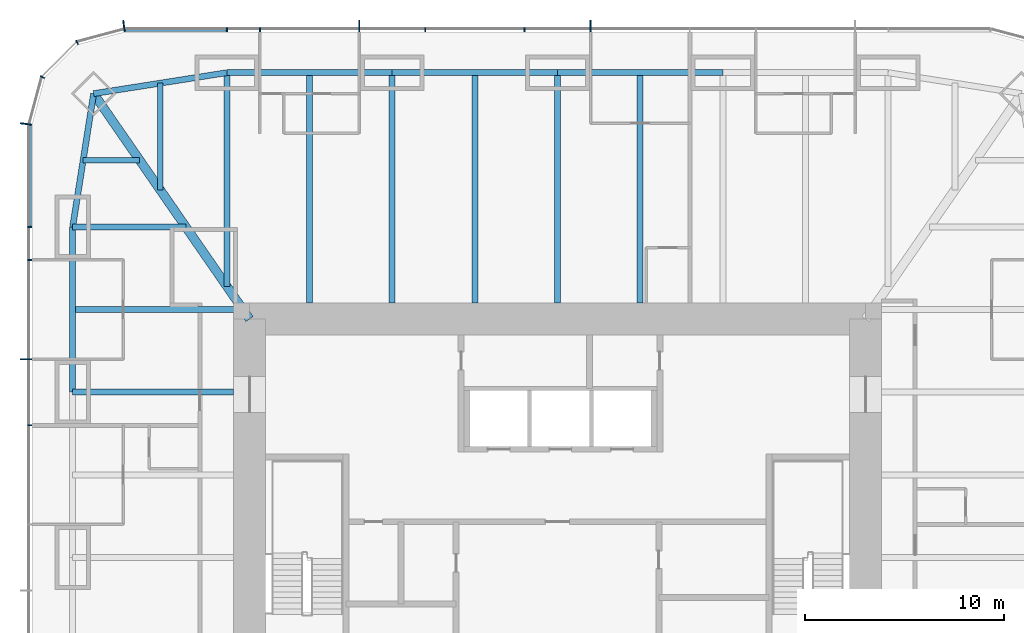
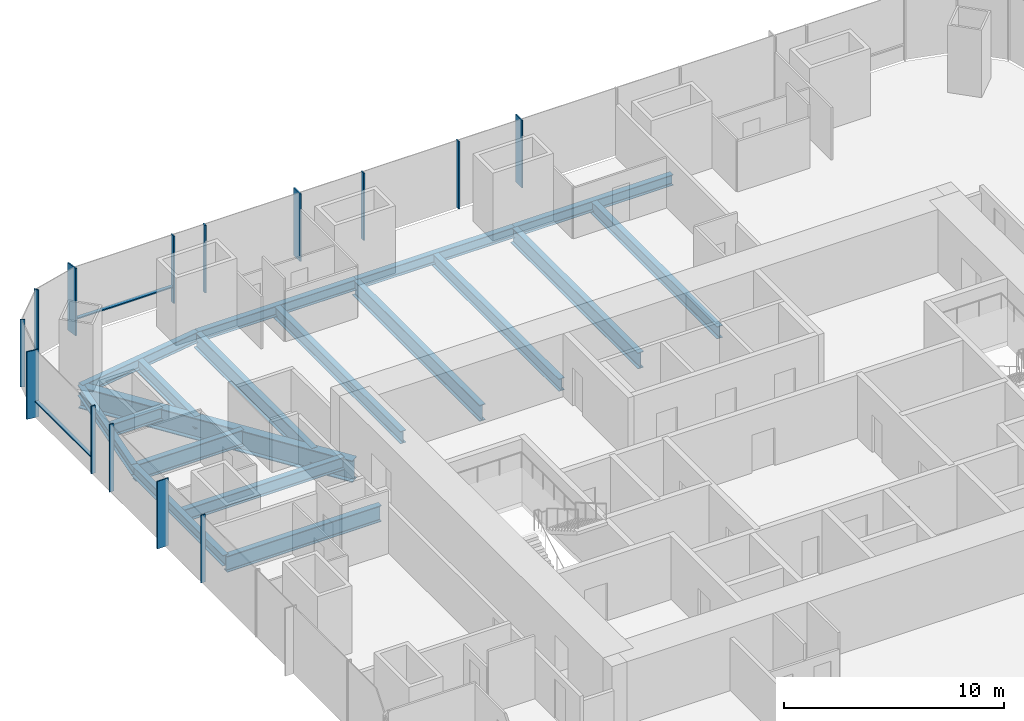
# One storey, part 5 of 12: 18 beams, 16 members, 3 elements without a shape of their own.
"""IFC4 building model written with IfcOpenShell, lengths in metres."""

from ifc_helpers import new_model, si_unit, direction, frame, origin, origin_2d, place, context, subcontext, project, spatial, rectangle, i_section, extrude, material, material_profile, profile_set, type_object, element, aggregate, save


model = new_model("IFC4")

# Units and contexts
model_context = context("Model", 3, precision=1e-05, world=origin(), true_north=direction((0.0, 1.0)))
body_context = subcontext(model_context, "Body", "Model", "MODEL_VIEW")
ifc_project = project(units=[si_unit("LENGTHUNIT", "METRE"), si_unit("AREAUNIT", "SQUARE_METRE"), si_unit("VOLUMEUNIT", "CUBIC_METRE"), si_unit("PLANEANGLEUNIT", "RADIAN"), si_unit("MASSUNIT", "GRAM", prefix="KILO")], contexts=[model_context])

# Site, building, storey
site_placement = place(None, origin())
site = spatial("IfcSite", under=ifc_project, at=site_placement, CompositionType="ELEMENT")
building_placement = place(site_placement, origin())
building = spatial("IfcBuilding", under=site, at=building_placement, Name="Khuree Lantern Residences", CompositionType="ELEMENT")
storey_placement = place(building_placement, frame((0.0, 0.0, 203.25)))
storey = spatial("IfcBuildingStorey", under=building, at=storey_placement, Name="L50", CompositionType="ELEMENT", Elevation=203.25)

# Beams
ifc_material_1 = material(Name="Steel S355", Category="steel")
ifc_material_profile_1 = material_profile(ifc_material_1, i_section(OverallWidth=0.300048828125, OverallDepth=0.68994140625, WebThickness=0.014404296875, FlangeThickness=0.027099609375, FilletRadius=0.027099609375, at=origin_2d()), Name="HE 700 A")
ifc_profile_set_1 = profile_set([ifc_material_profile_1], Name="Steel S355")
beam_type_1 = type_object("IfcBeamType", Name="B-31 SECONDARY BEAM HE 700 A", PredefinedType="BEAM", material=ifc_profile_set_1)
for number, where, z_axis, x_axis, name in (
    (1, (-12.47998046875, 24.39990234375, -0.594970703125), (0.0, -1.0, 0.0), (1.0, 0.0, 0.0), "Secondary beam N1"),
    (2, (-4.159912109375, 24.39990234375, -0.594970703125), (0.0, -1.0, 0.0), (1.0, 0.0, 0.0), "Secondary beam N2"),
    (3, (4.159912109375, 24.39990234375, -0.594970703125), (0.0, -1.0, 0.0), (1.0, 0.0, 0.0), "Secondary beam N3"),
):
    element("IfcBeam", number, at=place(storey_placement, frame(where, z_axis=z_axis, x_axis=x_axis)), inside=storey, type_object=beam_type_1, Name=name, PredefinedType="BEAM", context=body_context, shape_type="SweptSolid", body=[
        extrude(i_section(OverallWidth=0.300048828125, OverallDepth=0.68994140625, WebThickness=0.014404296875, FlangeThickness=0.027099609375, FilletRadius=0.027099609375, at=origin_2d()), origin(), (0.0, 0.0, 1.0), 11.599853515625),
    ])
beam_1_placement = place(storey_placement, frame((-24.39990234375, 12.47998046875, -0.594970703125), z_axis=(1.0, 0.0, 0.0), x_axis=(0.0, 1.0, 0.0)))
element("IfcBeam", 4, at=beam_1_placement, inside=storey, type_object=beam_type_1, Name="Secondary beam W5", PredefinedType="BEAM", context=body_context, shape_type="SweptSolid", body=[
    extrude(i_section(OverallWidth=0.300048828125, OverallDepth=0.68994140625, WebThickness=0.014404296875, FlangeThickness=0.027099609375, FilletRadius=0.027099609375, at=origin_2d()), origin(), (0.0, 0.0, 1.0), 8.56787109375),
])
beam_2_placement = place(storey_placement, frame((-23.872802734375, 19.992919921875, -0.594970703125), z_axis=(1.0, 0.0, 0.0), x_axis=(0.0, 1.0, 0.0)))
element("IfcBeam", 5, at=beam_2_placement, inside=storey, type_object=beam_type_1, Name="Secondary beam W6", PredefinedType="BEAM", context=body_context, shape_type="SweptSolid", body=[
    extrude(i_section(OverallWidth=0.300048828125, OverallDepth=0.68994140625, WebThickness=0.014404296875, FlangeThickness=0.027099609375, FilletRadius=0.027099609375, at=origin_2d()), origin(), (0.0, 0.0, 1.0), 2.845703125),
])
beam_3_placement = place(storey_placement, frame((-19.992919921875, 23.872802734375, -0.594970703125), z_axis=(0.0, -1.0, 0.0), x_axis=(1.0, 0.0, 0.0)))
element("IfcBeam", 6, at=beam_3_placement, inside=storey, type_object=beam_type_1, Name="Secondary beam N6", PredefinedType="BEAM", context=body_context, shape_type="SweptSolid", body=[
    extrude(i_section(OverallWidth=0.300048828125, OverallDepth=0.68994140625, WebThickness=0.014404296875, FlangeThickness=0.027099609375, FilletRadius=0.027099609375, at=origin_2d()), origin(), (0.0, 0.0, 1.0), 5.375732421875),
])
ifc_material_profile_2 = material_profile(ifc_material_1, i_section(OverallWidth=0.300048828125, OverallDepth=0.590087890625, WebThickness=0.012939453125, FlangeThickness=0.02490234375, FilletRadius=0.027099609375, at=origin_2d()), Name="HE 600 A")
ifc_profile_set_2 = profile_set([ifc_material_profile_2], Name="Steel S355")
beam_type_2 = type_object("IfcBeamType", Name="E-31 SPANDREL BEAM HE 600 A", PredefinedType="SPANDREL", material=ifc_profile_set_2)
beam_4_placement = place(storey_placement, frame((-16.639892578125, 24.39990234375, -0.544921875), z_axis=(1.0, 0.0, 0.0), x_axis=(0.0, 1.0, 0.0)))
element("IfcBeam", 7, at=beam_4_placement, inside=storey, type_object=beam_type_2, Name="Spandrel beam N1", PredefinedType="SPANDREL", context=body_context, shape_type="SweptSolid", body=[
    extrude(i_section(OverallWidth=0.300048828125, OverallDepth=0.590087890625, WebThickness=0.012939453125, FlangeThickness=0.02490234375, FilletRadius=0.027099609375, at=origin_2d()), origin(), (0.0, 0.0, 1.0), 8.31982421875),
])
for number, where, z_axis, x_axis, name in (
    (8, (-8.320068359375, 24.39990234375, -0.544921875), (1.0, 0.0, 0.0), (0.0, 1.0, 0.0), "Spandrel beam N2"),
    (9, (0.0, 24.39990234375, -0.544921875), (1.0, 0.0, 0.0), (0.0, 1.0, 0.0), "Spandrel beam N3"),
):
    element("IfcBeam", number, at=place(storey_placement, frame(where, z_axis=z_axis, x_axis=x_axis)), inside=storey, type_object=beam_type_2, Name=name, PredefinedType="SPANDREL", context=body_context, shape_type="SweptSolid", body=[
        extrude(i_section(OverallWidth=0.300048828125, OverallDepth=0.590087890625, WebThickness=0.012939453125, FlangeThickness=0.02490234375, FilletRadius=0.027099609375, at=origin_2d()), origin(), (0.0, 0.0, 1.0), 8.320068359375),
    ])
beam_5_placement = place(storey_placement, frame((-24.39990234375, 8.320068359375, -0.544921875), z_axis=(0.0, 1.0, 0.0), x_axis=(-1.0, 0.0, 0.0)))
element("IfcBeam", 10, at=beam_5_placement, inside=storey, type_object=beam_type_2, Name="Spandrel beam W5", PredefinedType="SPANDREL", context=body_context, shape_type="SweptSolid", body=[
    extrude(i_section(OverallWidth=0.300048828125, OverallDepth=0.590087890625, WebThickness=0.012939453125, FlangeThickness=0.02490234375, FilletRadius=0.027099609375, at=origin_2d()), origin(), (0.0, 0.0, 1.0), 8.31982421875),
])
for number, where, z_axis, x_axis, name in (
    (11, (-24.39990234375, 16.639892578125, -0.544921875), (0.155299507442, 0.98786743189, 0.0), (-0.98786743189, 0.155299507442, 0.0), "Spandrel beam W6"),
    (12, (-23.345703125, 23.345703125, -0.544921875), (0.98786743189, 0.155299507442, 0.0), (-0.155299507442, 0.98786743189, 0.0), "Spandrel beam N6"),
):
    element("IfcBeam", number, at=place(storey_placement, frame(where, z_axis=z_axis, x_axis=x_axis)), inside=storey, type_object=beam_type_2, Name=name, PredefinedType="SPANDREL", context=body_context, shape_type="SweptSolid", body=[
        extrude(i_section(OverallWidth=0.300048828125, OverallDepth=0.590087890625, WebThickness=0.012939453125, FlangeThickness=0.02490234375, FilletRadius=0.027099609375, at=origin_2d()), origin(), (0.0, 0.0, 1.0), 6.7880859375),
    ])

# Curtain wall, members
ifc_material_2 = material(Name="Bronze anodised aluminium", Category="aluminium")
curtain_wall_type_1 = type_object("IfcCurtainWallType", Name="CW-T1 TOWER FACE CURTAIN WALL", PredefinedType="USERDEFINED", material=ifc_material_2)
curtain_wall_1_placement = place(storey_placement, origin())
curtain_wall_1 = element("IfcCurtainWall", 13, at=curtain_wall_1_placement, inside=storey, type_object=curtain_wall_type_1, Name="L50 NORTH FACE CURTAIN WALL", ObjectType="Stick-built curtain wall", PredefinedType="USERDEFINED")
ifc_material_profile_3 = material_profile(ifc_material_2, rectangle(XDim=0.06494140625, YDim=0.60009765625, at=origin_2d()), Name="F1 65X600")
ifc_profile_set_3 = profile_set([ifc_material_profile_3], Name="Bronze anodised aluminium")
member_type_1 = type_object("IfcMemberType", Name="F1 BRONZE FIN MULLION TOWER 65X600", PredefinedType="MULLION", material=ifc_profile_set_3)
member_1_placement = place(storey_placement, frame((1.6640625, 26.75, 0.0), z_axis=(0.0, 0.0, 1.0), x_axis=(-1.0, 0.0, 0.0)))
member_1 = element("IfcMember", 14, at=member_1_placement, type_object=member_type_1, Name="L50 NORTH FACE FIN MULLION 23", PredefinedType="MULLION", context=body_context, shape_type="SweptSolid", body=[
    extrude(rectangle(XDim=0.06494140625, YDim=0.60009765625, at=origin_2d()), origin(), (0.0, 0.0, 1.0), 3.75),
])
member_2_placement = place(storey_placement, frame((-9.98388671875, 26.75, 0.0), z_axis=(0.0, 0.0, 1.0), x_axis=(-1.0, 0.0, 0.0)))
member_2 = element("IfcMember", 15, at=member_2_placement, type_object=member_type_1, Name="L50 NORTH FACE FIN MULLION 26", PredefinedType="MULLION", context=body_context, shape_type="SweptSolid", body=[
    extrude(rectangle(XDim=0.06494140625, YDim=0.60009765625, at=origin_2d()), origin(), (0.0, 0.0, 1.0), 3.75),
])

# Curtain wall, member
curtain_wall_type_2 = type_object("IfcCurtainWallType", Name="CW-T2 TOWER CORNER CURTAIN WALL", PredefinedType="USERDEFINED", material=ifc_material_2)
curtain_wall_2_placement = place(storey_placement, origin())
curtain_wall_2 = element("IfcCurtainWall", 16, at=curtain_wall_2_placement, inside=storey, type_object=curtain_wall_type_2, Name="L50 NORTH-WEST CORNER CURTAIN WALL", ObjectType="Faceted corner curtain wall", PredefinedType="USERDEFINED")
member_3_placement = place(storey_placement, frame((-21.81982421875, 26.75, 0.0), z_axis=(0.0, 0.0, 1.0), x_axis=(-0.991444862943, -0.130526180298, 0.0)))
member_3 = element("IfcMember", 17, at=member_3_placement, type_object=member_type_1, Name="L50 NORTH-WEST CORNER FIN MULLION 29", PredefinedType="MULLION", context=body_context, shape_type="SweptSolid", body=[
    extrude(rectangle(XDim=0.06494140625, YDim=0.60009765625, at=origin_2d()), origin(), (0.0, 0.0, 1.0), 3.75),
])

# Curtain wall, members
curtain_wall_3_placement = place(storey_placement, origin())
curtain_wall_3 = element("IfcCurtainWall", 18, at=curtain_wall_3_placement, inside=storey, type_object=curtain_wall_type_1, Name="L50 WEST FACE CURTAIN WALL", ObjectType="Stick-built curtain wall", PredefinedType="USERDEFINED")
member_4_placement = place(storey_placement, frame((-26.75, 21.81982421875, 0.0), z_axis=(0.0, 0.0, 1.0), x_axis=(-0.130526180298, -0.991444862943, 0.0)))
member_4 = element("IfcMember", 19, at=member_4_placement, type_object=member_type_1, Name="L50 WEST FACE FIN MULLION 32", PredefinedType="MULLION", context=body_context, shape_type="SweptSolid", body=[
    extrude(rectangle(XDim=0.06494140625, YDim=0.60009765625, at=origin_2d()), origin(), (0.0, 0.0, 1.0), 3.75),
])
member_5_placement = place(storey_placement, frame((-26.75, 9.98388671875, 0.0), z_axis=(0.0, 0.0, 1.0), x_axis=(0.0, -1.0, 0.0)))
member_5 = element("IfcMember", 20, at=member_5_placement, type_object=member_type_1, Name="L50 WEST FACE FIN MULLION 35", PredefinedType="MULLION", context=body_context, shape_type="SweptSolid", body=[
    extrude(rectangle(XDim=0.06494140625, YDim=0.60009765625, at=origin_2d()), origin(), (0.0, 0.0, 1.0), 3.75),
])

# Beams
ifc_material_profile_4 = material_profile(ifc_material_1, i_section(OverallWidth=0.300048828125, OverallDepth=0.89990234375, WebThickness=0.0185546875, FlangeThickness=0.034912109375, FilletRadius=0.030029296875, at=origin_2d()), Name="HE 900 B")
ifc_profile_set_4 = profile_set([ifc_material_profile_4], Name="Steel S355")
beam_type_3 = type_object("IfcBeamType", Name="G-31A GIRDER HE 900 B", PredefinedType="BEAM", material=ifc_profile_set_4)
beam_6_placement = place(storey_placement, frame((-16.639892578125, 24.39990234375, -0.699951171875), z_axis=(0.0, -1.0, 0.0), x_axis=(1.0, 0.0, 0.0)))
element("IfcBeam", 21, at=beam_6_placement, inside=storey, type_object=beam_type_3, Name="Girder N1", PredefinedType="BEAM", context=body_context, shape_type="SweptSolid", body=[
    extrude(i_section(OverallWidth=0.300048828125, OverallDepth=0.89990234375, WebThickness=0.0185546875, FlangeThickness=0.034912109375, FilletRadius=0.030029296875, at=origin_2d()), origin(), (0.0, 0.0, 1.0), 10.751220703125),
])
for number, where, z_axis, x_axis, name in (
    (22, (-8.320068359375, 24.39990234375, -0.699951171875), (0.0, -1.0, 0.0), (1.0, 0.0, 0.0), "Girder N2"),
    (23, (0.0, 24.39990234375, -0.699951171875), (0.0, -1.0, 0.0), (1.0, 0.0, 0.0), "Girder N3"),
):
    element("IfcBeam", number, at=place(storey_placement, frame(where, z_axis=z_axis, x_axis=x_axis)), inside=storey, type_object=beam_type_3, Name=name, PredefinedType="BEAM", context=body_context, shape_type="SweptSolid", body=[
        extrude(i_section(OverallWidth=0.300048828125, OverallDepth=0.89990234375, WebThickness=0.0185546875, FlangeThickness=0.034912109375, FilletRadius=0.030029296875, at=origin_2d()), origin(), (0.0, 0.0, 1.0), 11.599853515625),
    ])
beam_7_placement = place(storey_placement, frame((-24.39990234375, 8.320068359375, -0.699951171875), z_axis=(1.0, 0.0, 0.0), x_axis=(0.0, 1.0, 0.0)))
element("IfcBeam", 24, at=beam_7_placement, inside=storey, type_object=beam_type_3, Name="Girder W4", PredefinedType="BEAM", context=body_context, shape_type="SweptSolid", body=[
    extrude(i_section(OverallWidth=0.300048828125, OverallDepth=0.89990234375, WebThickness=0.0185546875, FlangeThickness=0.034912109375, FilletRadius=0.030029296875, at=origin_2d()), origin(), (0.0, 0.0, 1.0), 8.099853515625),
])
beam_8_placement = place(storey_placement, frame((-24.39990234375, 16.639892578125, -0.699951171875), z_axis=(1.0, 0.0, 0.0), x_axis=(0.0, 1.0, 0.0)))
element("IfcBeam", 25, at=beam_8_placement, inside=storey, type_object=beam_type_3, Name="Girder W5", PredefinedType="BEAM", context=body_context, shape_type="SweptSolid", body=[
    extrude(i_section(OverallWidth=0.300048828125, OverallDepth=0.89990234375, WebThickness=0.0185546875, FlangeThickness=0.034912109375, FilletRadius=0.030029296875, at=origin_2d()), origin(), (0.0, 0.0, 1.0), 5.69140625),
])
ifc_material_profile_5 = material_profile(ifc_material_1, i_section(OverallWidth=0.449951171875, OverallDepth=1.199951171875, WebThickness=0.02490234375, FlangeThickness=0.044921875, at=origin_2d()), Name="WELDED I 1200X450X25X45")
ifc_profile_set_5 = profile_set([ifc_material_profile_5], Name="Steel S355")
beam_type_4 = type_object("IfcBeamType", Name="GD-31 CORNER GIRDER WELDED I 1200X450X25X45", PredefinedType="BEAM", material=ifc_profile_set_5)
beam_9_placement = place(storey_placement, frame((-23.345703125, 23.345703125, -0.85009765625), z_axis=(0.56876813501, -0.822497907959, 0.0), x_axis=(0.822497907959, 0.56876813501, 0.0)))
element("IfcBeam", 26, at=beam_9_placement, inside=storey, type_object=beam_type_4, Name="Corner girder NW", PredefinedType="BEAM", context=body_context, shape_type="SweptSolid", body=[
    extrude(i_section(OverallWidth=0.449951171875, OverallDepth=1.199951171875, WebThickness=0.02490234375, FlangeThickness=0.044921875, at=origin_2d()), origin(), (0.0, 0.0, 1.0), 13.794189453125),
])

# Member
ifc_material_profile_6 = material_profile(ifc_material_2, rectangle(XDim=0.06494140625, YDim=0.219970703125, at=origin_2d()), Name="M1 65X220")
ifc_profile_set_6 = profile_set([ifc_material_profile_6], Name="Bronze anodised aluminium")
member_type_2 = type_object("IfcMemberType", Name="M1 BRONZE MULLION TOWER 65X220", PredefinedType="MULLION", material=ifc_profile_set_6)
member_6_placement = place(storey_placement, frame((-1.6640625, 26.56005859375, 0.0), z_axis=(0.0, 0.0, 1.0), x_axis=(-1.0, 0.0, 0.0)))
member_6 = element("IfcMember", 27, at=member_6_placement, type_object=member_type_2, Name="L50 NORTH FACE MULLION 24", PredefinedType="MULLION", context=body_context, shape_type="SweptSolid", body=[
    extrude(rectangle(XDim=0.06494140625, YDim=0.219970703125, at=origin_2d()), origin(), (0.0, 0.0, 1.0), 3.75),
])

member_7_placement = place(storey_placement, frame((-6.656005859375, 26.56005859375, 0.0), z_axis=(0.0, 0.0, 1.0), x_axis=(-1.0, 0.0, 0.0)))
member_7 = element("IfcMember", 28, at=member_7_placement, type_object=member_type_2, Name="L50 NORTH FACE MULLION 25", PredefinedType="MULLION", context=body_context, shape_type="SweptSolid", body=[
    extrude(rectangle(XDim=0.06494140625, YDim=0.219970703125, at=origin_2d()), origin(), (0.0, 0.0, 1.0), 3.75),
])

member_8_placement = place(storey_placement, frame((-14.97607421875, 26.56005859375, 0.0), z_axis=(0.0, 0.0, 1.0), x_axis=(-1.0, 0.0, 0.0)))
member_8 = element("IfcMember", 29, at=member_8_placement, type_object=member_type_2, Name="L50 NORTH FACE MULLION 27", PredefinedType="MULLION", context=body_context, shape_type="SweptSolid", body=[
    extrude(rectangle(XDim=0.06494140625, YDim=0.219970703125, at=origin_2d()), origin(), (0.0, 0.0, 1.0), 3.75),
])

member_9_placement = place(storey_placement, frame((-16.639892578125, 26.56005859375, 0.0), z_axis=(0.0, 0.0, 1.0), x_axis=(-1.0, 0.0, 0.0)))
member_9 = element("IfcMember", 30, at=member_9_placement, type_object=member_type_2, Name="L50 NORTH FACE MULLION 28", PredefinedType="MULLION", context=body_context, shape_type="SweptSolid", body=[
    extrude(rectangle(XDim=0.06494140625, YDim=0.219970703125, at=origin_2d()), origin(), (0.0, 0.0, 1.0), 3.75),
])

member_10_placement = place(storey_placement, frame((-24.179931640625, 25.92236328125, 0.0), z_axis=(0.0, 0.0, 1.0), x_axis=(-0.866025409797, -0.499999989586, 0.0)))
member_10 = element("IfcMember", 31, at=member_10_placement, type_object=member_type_2, Name="L50 NORTH-WEST CORNER MULLION 30", PredefinedType="MULLION", context=body_context, shape_type="SweptSolid", body=[
    extrude(rectangle(XDim=0.06494140625, YDim=0.219970703125, at=origin_2d()), origin(), (0.0, 0.0, 1.0), 3.75),
])

member_11_placement = place(storey_placement, frame((-25.92236328125, 24.179931640625, 0.0), z_axis=(0.0, 0.0, 1.0), x_axis=(-0.499999989586, -0.866025409797, 0.0)))
member_11 = element("IfcMember", 32, at=member_11_placement, type_object=member_type_2, Name="L50 NORTH-WEST CORNER MULLION 31", PredefinedType="MULLION", context=body_context, shape_type="SweptSolid", body=[
    extrude(rectangle(XDim=0.06494140625, YDim=0.219970703125, at=origin_2d()), origin(), (0.0, 0.0, 1.0), 3.75),
])

aggregate(curtain_wall_2, [member_3, member_10, member_11])

member_12_placement = place(storey_placement, frame((-26.56005859375, 16.639892578125, 0.0), z_axis=(0.0, 0.0, 1.0), x_axis=(0.0, -1.0, 0.0)))
member_12 = element("IfcMember", 33, at=member_12_placement, type_object=member_type_2, Name="L50 WEST FACE MULLION 33", PredefinedType="MULLION", context=body_context, shape_type="SweptSolid", body=[
    extrude(rectangle(XDim=0.06494140625, YDim=0.219970703125, at=origin_2d()), origin(), (0.0, 0.0, 1.0), 3.75),
])

member_13_placement = place(storey_placement, frame((-26.56005859375, 14.97607421875, 0.0), z_axis=(0.0, 0.0, 1.0), x_axis=(0.0, -1.0, 0.0)))
member_13 = element("IfcMember", 34, at=member_13_placement, type_object=member_type_2, Name="L50 WEST FACE MULLION 34", PredefinedType="MULLION", context=body_context, shape_type="SweptSolid", body=[
    extrude(rectangle(XDim=0.06494140625, YDim=0.219970703125, at=origin_2d()), origin(), (0.0, 0.0, 1.0), 3.75),
])

member_14_placement = place(storey_placement, frame((-26.56005859375, 6.656005859375, 0.0), z_axis=(0.0, 0.0, 1.0), x_axis=(0.0, -1.0, 0.0)))
member_14 = element("IfcMember", 35, at=member_14_placement, type_object=member_type_2, Name="L50 WEST FACE MULLION 36", PredefinedType="MULLION", context=body_context, shape_type="SweptSolid", body=[
    extrude(rectangle(XDim=0.06494140625, YDim=0.219970703125, at=origin_2d()), origin(), (0.0, 0.0, 1.0), 3.75),
])

ifc_material_profile_7 = material_profile(ifc_material_2, rectangle(XDim=0.179931640625, YDim=0.06494140625, at=origin_2d()), Name="T1 180X65")
ifc_profile_set_7 = profile_set([ifc_material_profile_7], Name="Bronze anodised aluminium")
member_type_3 = type_object("IfcMemberType", Name="TRANSOM T1 TOWER 180X65", PredefinedType="USERDEFINED", material=ifc_profile_set_7)
member_15_placement = place(storey_placement, frame((-16.672607421875, 26.570068359375, 0.89990234375), z_axis=(-1.0, 0.0, 0.0), x_axis=(0.0, -1.0, 0.0)))
member_15 = element("IfcMember", 36, at=member_15_placement, type_object=member_type_3, Name="L50 NORTH FACE TRANSOM 28.1", ObjectType="Transom", PredefinedType="USERDEFINED", context=body_context, shape_type="SweptSolid", body=[
    extrude(rectangle(XDim=0.179931640625, YDim=0.06494140625, at=origin_2d()), origin(), (0.0, 0.0, 1.0), 5.078857421875),
])

aggregate(curtain_wall_1, [member_1, member_6, member_7, member_2, member_8, member_9, member_15])

member_16_placement = place(storey_placement, frame((-26.570068359375, 21.75146484375, 0.89990234375), z_axis=(0.0, -1.0, 0.0), x_axis=(1.0, 0.0, 0.0)))
member_16 = element("IfcMember", 37, at=member_16_placement, type_object=member_type_3, Name="L50 WEST FACE TRANSOM 32.1", ObjectType="Transom", PredefinedType="USERDEFINED", context=body_context, shape_type="SweptSolid", body=[
    extrude(rectangle(XDim=0.179931640625, YDim=0.06494140625, at=origin_2d()), origin(), (0.0, 0.0, 1.0), 5.078857421875),
])

aggregate(curtain_wall_3, [member_4, member_12, member_13, member_5, member_14, member_16])

save(model, "model.ifc")
